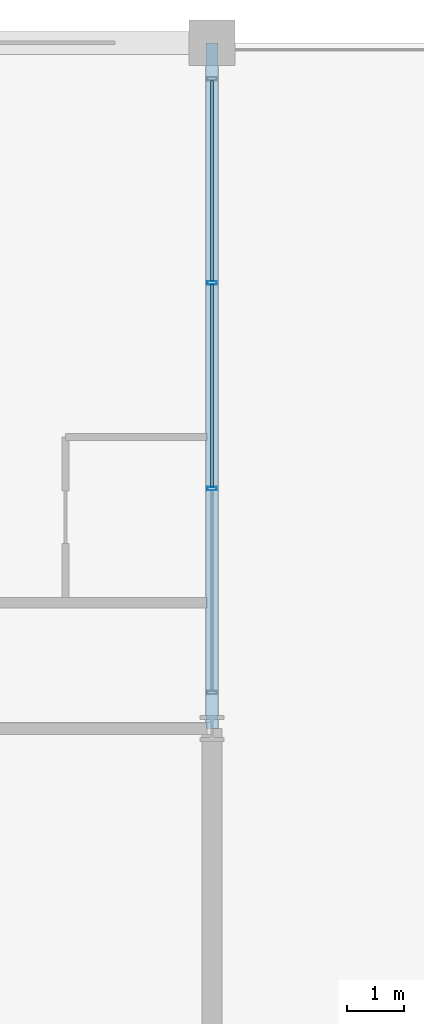
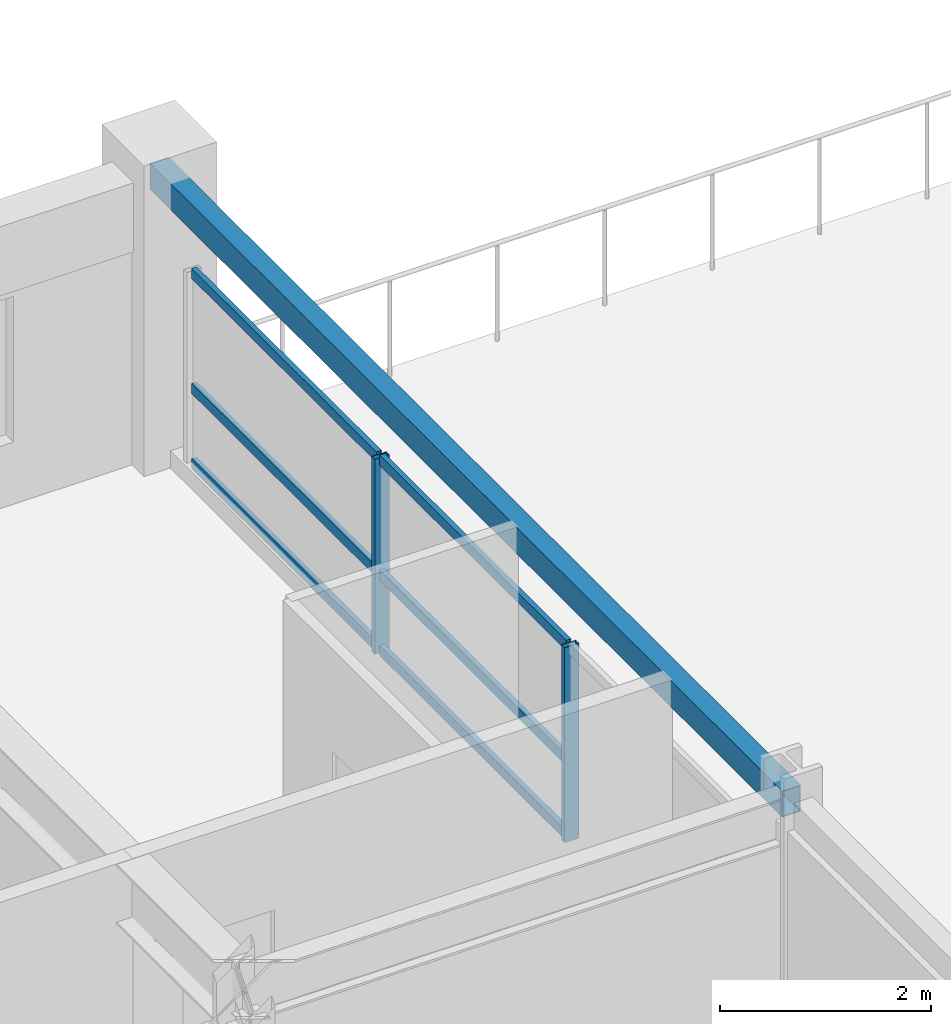
# One storey, part 16 of 27: 8 members, 1 beam, 1 element without a shape of its own.
"""IFC4 building model written with IfcOpenShell, lengths in metres."""

from ifc_helpers import new_model, si_unit, direction, frame, origin, origin_2d, place, context, subcontext, project, spatial, hollow_rectangle, extrude, material, material_profile, profile_set, type_object, element, aggregate, save


model = new_model("IFC4")

# Units and contexts
model_context = context("Model", 3, precision=1e-05, world=origin(), true_north=direction((0.0, 1.0)))
body_context = subcontext(model_context, "Body", "Model", "MODEL_VIEW")
ifc_project = project(units=[si_unit("LENGTHUNIT", "METRE"), si_unit("AREAUNIT", "SQUARE_METRE"), si_unit("VOLUMEUNIT", "CUBIC_METRE"), si_unit("PLANEANGLEUNIT", "RADIAN"), si_unit("MASSUNIT", "GRAM", prefix="KILO")], contexts=[model_context])

# Site, building, storey
site_placement = place(None, origin())
site = spatial("IfcSite", under=ifc_project, at=site_placement, CompositionType="ELEMENT")
building_placement = place(site_placement, origin())
building = spatial("IfcBuilding", under=site, at=building_placement, Name="Kaldorvane Square Convention Centre", CompositionType="ELEMENT")
storey_placement = place(building_placement, frame((0.0, 0.0, 38.399993896484375)))
storey = spatial("IfcBuildingStorey", under=building, at=storey_placement, Name="L08", CompositionType="ELEMENT", Elevation=38.399993896484375)

# Beam
ifc_material_1 = material(Name="Steel ASTM A500 Gr. C", Category="steel")
ifc_material_profile_1 = material_profile(ifc_material_1, hollow_rectangle(XDim=0.2032012939453125, YDim=0.3047943115234375, WallThickness=0.0088958740234375, at=origin_2d()), Name="HSS12X8X3/8")
ifc_profile_set_1 = profile_set([ifc_material_profile_1], Name="Steel ASTM A500 Gr. C")
beam_type = type_object("IfcBeamType", Name="BM-SP-HSS12", PredefinedType="SPANDREL", material=ifc_profile_set_1)
beam_placement = place(storey_placement, frame((84.0, 105.0, 3.13360595703125), z_axis=(0.0, 1.0, 0.0), x_axis=(-1.0, 0.0, 0.0)))
element("IfcBeam", 1, at=beam_placement, inside=storey, type_object=beam_type, Name="End Spandrel (L08)", PredefinedType="SPANDREL", context=body_context, shape_type="SweptSolid", body=[
    extrude(hollow_rectangle(XDim=0.2032012939453125, YDim=0.3047943115234375, WallThickness=0.0088958740234375, at=origin_2d()), origin(), (0.0, 0.0, 1.0), 12.0),
])

# Curtain wall, members
ifc_material_2 = material(Name="Anodized Aluminum and Low-E Insulated Glazing", Category="aluminium")
curtain_wall_type = type_object("IfcCurtainWallType", Name="CW-UNI-HTL-A", PredefinedType="USERDEFINED", material=ifc_material_2)
curtain_wall_placement = place(storey_placement, origin())
curtain_wall = element("IfcCurtainWall", 2, at=curtain_wall_placement, inside=storey, type_object=curtain_wall_type, Name="Curtain Wall CW-10 (L08)", ObjectType="UNITISED GLAZING", PredefinedType="USERDEFINED")
ifc_material_profile_2 = material_profile(ifc_material_2, hollow_rectangle(XDim=0.05999755859375, YDim=0.160003662109375, WallThickness=0.003204345703125, at=origin_2d()), Name="CWM-160X60")
ifc_profile_set_2 = profile_set([ifc_material_profile_2], Name="Anodized Aluminum and Low-E Insulated Glazing")
member_type_1 = type_object("IfcMemberType", Name="CW-MUL-160", PredefinedType="MULLION", material=ifc_profile_set_2)
member_1_placement = place(storey_placement, frame((84.0, 109.19999694824219, 0.1500091552734375), z_axis=(0.0, 0.0, 1.0), x_axis=(0.0, 1.0, 0.0)))
member_1 = element("IfcMember", 3, at=member_1_placement, type_object=member_type_1, Name="CW-10 mullion 2", PredefinedType="MULLION", context=body_context, shape_type="SweptSolid", body=[
    extrude(hollow_rectangle(XDim=0.05999755859375, YDim=0.160003662109375, WallThickness=0.003204345703125, at=origin_2d()), origin(), (0.0, 0.0, 1.0), 2.2599945068359375),
])
member_2_placement = place(storey_placement, frame((84.0, 112.80000305175781, 0.1500091552734375), z_axis=(0.0, 0.0, 1.0), x_axis=(0.0, 1.0, 0.0)))
member_2 = element("IfcMember", 4, at=member_2_placement, type_object=member_type_1, Name="CW-10 mullion 3", PredefinedType="MULLION", context=body_context, shape_type="SweptSolid", body=[
    extrude(hollow_rectangle(XDim=0.05999755859375, YDim=0.160003662109375, WallThickness=0.003204345703125, at=origin_2d()), origin(), (0.0, 0.0, 1.0), 2.2599945068359375),
])
ifc_material_profile_3 = material_profile(ifc_material_2, hollow_rectangle(XDim=0.05499267578125, YDim=0.1199951171875, WallThickness=0.0030059814453125, at=origin_2d()), Name="CWT-120X55")
ifc_profile_set_3 = profile_set([ifc_material_profile_3], Name="Anodized Aluminum and Low-E Insulated Glazing")
member_type_2 = type_object("IfcMemberType", Name="CW-TRN-120", PredefinedType="USERDEFINED", material=ifc_profile_set_3)
member_3_placement = place(storey_placement, frame((84.0, 109.22999572753906, 0.1775054931640625), z_axis=(0.0, 1.0, 0.0), x_axis=(-1.0, 0.0, 0.0)))
member_3 = element("IfcMember", 5, at=member_3_placement, type_object=member_type_2, Name="CW-10 transom 2.1", ObjectType="TRANSOM", PredefinedType="USERDEFINED", context=body_context, shape_type="SweptSolid", body=[
    extrude(hollow_rectangle(XDim=0.05499267578125, YDim=0.1199951171875, WallThickness=0.0030059814453125, at=origin_2d()), origin(), (0.0, 0.0, 1.0), 3.540008544921875),
])
member_4_placement = place(storey_placement, frame((84.0, 109.22999572753906, 1.0500030517578125), z_axis=(0.0, 1.0, 0.0), x_axis=(-1.0, 0.0, 0.0)))
member_4 = element("IfcMember", 6, at=member_4_placement, type_object=member_type_2, Name="CW-10 transom 2.2", ObjectType="TRANSOM", PredefinedType="USERDEFINED", context=body_context, shape_type="SweptSolid", body=[
    extrude(hollow_rectangle(XDim=0.05499267578125, YDim=0.1199951171875, WallThickness=0.0030059814453125, at=origin_2d()), origin(), (0.0, 0.0, 1.0), 3.540008544921875),
])
member_5_placement = place(storey_placement, frame((84.0, 109.22999572753906, 2.38250732421875), z_axis=(0.0, 1.0, 0.0), x_axis=(-1.0, 0.0, 0.0)))
member_5 = element("IfcMember", 7, at=member_5_placement, type_object=member_type_2, Name="CW-10 transom 2.3", ObjectType="TRANSOM", PredefinedType="USERDEFINED", context=body_context, shape_type="SweptSolid", body=[
    extrude(hollow_rectangle(XDim=0.05499267578125, YDim=0.1199951171875, WallThickness=0.0030059814453125, at=origin_2d()), origin(), (0.0, 0.0, 1.0), 3.540008544921875),
])
member_6_placement = place(storey_placement, frame((84.0, 112.83000183105469, 0.1775054931640625), z_axis=(0.0, 1.0, 0.0), x_axis=(-1.0, 0.0, 0.0)))
member_6 = element("IfcMember", 8, at=member_6_placement, type_object=member_type_2, Name="CW-10 transom 3.1", ObjectType="TRANSOM", PredefinedType="USERDEFINED", context=body_context, shape_type="SweptSolid", body=[
    extrude(hollow_rectangle(XDim=0.05499267578125, YDim=0.1199951171875, WallThickness=0.0030059814453125, at=origin_2d()), origin(), (0.0, 0.0, 1.0), 3.5099945068359375),
])
member_7_placement = place(storey_placement, frame((84.0, 112.83000183105469, 1.0500030517578125), z_axis=(0.0, 1.0, 0.0), x_axis=(-1.0, 0.0, 0.0)))
member_7 = element("IfcMember", 9, at=member_7_placement, type_object=member_type_2, Name="CW-10 transom 3.2", ObjectType="TRANSOM", PredefinedType="USERDEFINED", context=body_context, shape_type="SweptSolid", body=[
    extrude(hollow_rectangle(XDim=0.05499267578125, YDim=0.1199951171875, WallThickness=0.0030059814453125, at=origin_2d()), origin(), (0.0, 0.0, 1.0), 3.5099945068359375),
])
member_8_placement = place(storey_placement, frame((84.0, 112.83000183105469, 2.38250732421875), z_axis=(0.0, 1.0, 0.0), x_axis=(-1.0, 0.0, 0.0)))
member_8 = element("IfcMember", 10, at=member_8_placement, type_object=member_type_2, Name="CW-10 transom 3.3", ObjectType="TRANSOM", PredefinedType="USERDEFINED", context=body_context, shape_type="SweptSolid", body=[
    extrude(hollow_rectangle(XDim=0.05499267578125, YDim=0.1199951171875, WallThickness=0.0030059814453125, at=origin_2d()), origin(), (0.0, 0.0, 1.0), 3.5099945068359375),
])
aggregate(curtain_wall, [member_1, member_2, member_3, member_4, member_5, member_6, member_7, member_8])

save(model, "model.ifc")
